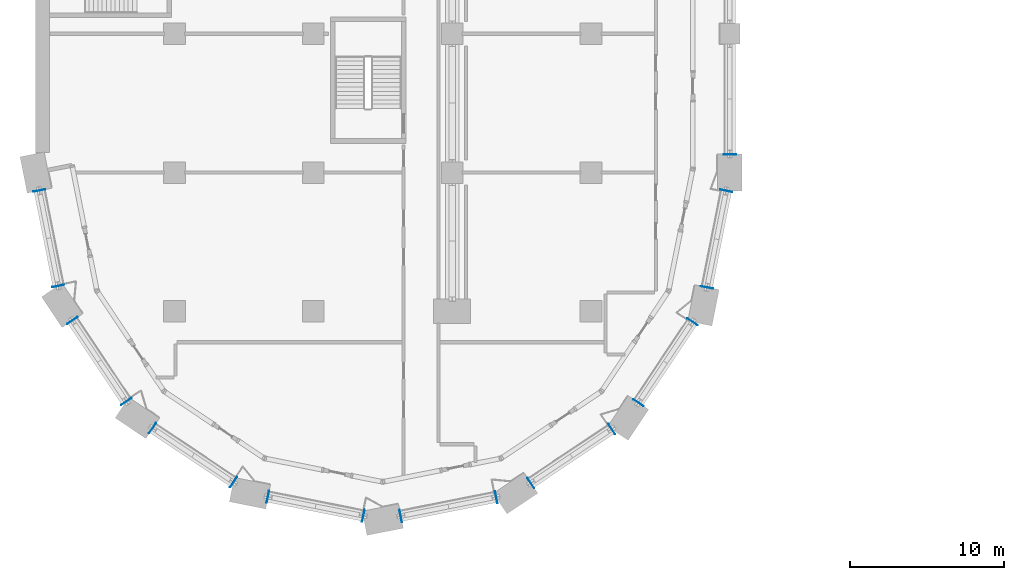
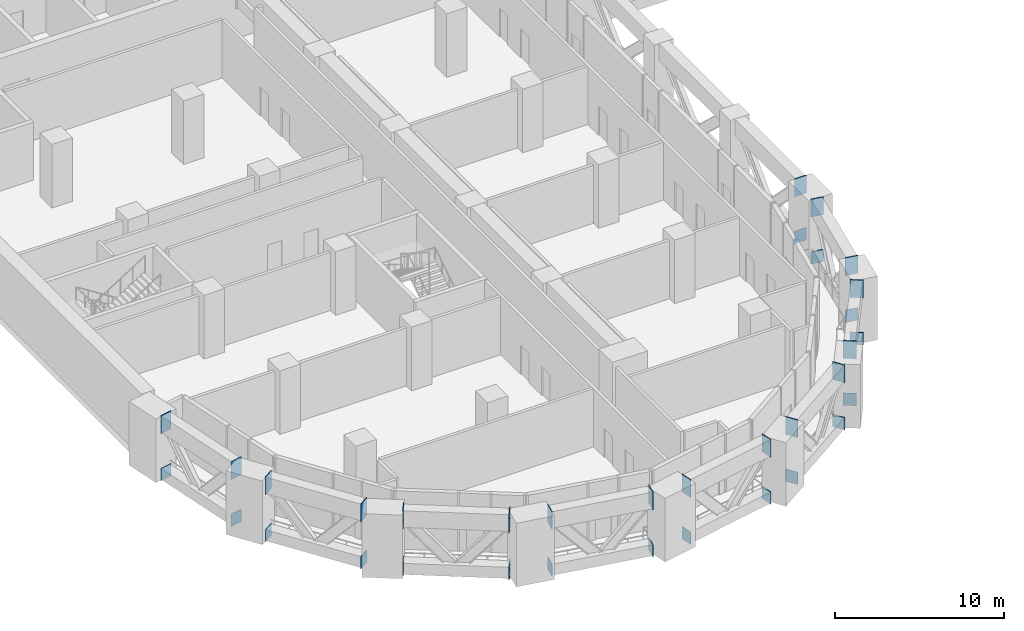
# One storey, part 18 of 24: 34 discrete accessories.
"""IFC4 building model written with IfcOpenShell, lengths in metres."""

from ifc_helpers import new_model, si_unit, direction, frame, origin, origin_2d, place, context, subcontext, project, spatial, rectangle, extrude, material, layer, layer_set, type_object, element, save


model = new_model("IFC4")

# Units and contexts
model_context = context("Model", 3, precision=1e-05, world=origin(), true_north=direction((0.0, 1.0)))
body_context = subcontext(model_context, "Body", "Model", "MODEL_VIEW")
ifc_project = project(units=[si_unit("LENGTHUNIT", "METRE"), si_unit("AREAUNIT", "SQUARE_METRE"), si_unit("VOLUMEUNIT", "CUBIC_METRE"), si_unit("PLANEANGLEUNIT", "RADIAN"), si_unit("MASSUNIT", "GRAM", prefix="KILO")], contexts=[model_context])

# Site, building, storey
site_placement = place(None, origin())
site = spatial("IfcSite", under=ifc_project, at=site_placement, CompositionType="ELEMENT")
building_placement = place(site_placement, origin())
building = spatial("IfcBuilding", under=site, at=building_placement, Name="Hunhe Ridgeline Campus", CompositionType="ELEMENT")
storey_placement = place(building_placement, frame((0.0, 0.0, 80.199951171875)))
storey = spatial("IfcBuildingStorey", under=building, at=storey_placement, Name="L19", CompositionType="ELEMENT", Elevation=80.199951171875)

# Discrete accessories
ifc_material = material(Name="Steel Q420", Category="steel")
ifc_layer_1 = layer(ifc_material, 0.030029296875)
ifc_layer_set_1 = layer_set([ifc_layer_1], Name="Gusset plate 800x1300x30 Steel Q420")
discrete_accessory_type_1 = type_object("IfcDiscreteAccessoryType", Name="Gusset plate 800x1300x30 Steel Q420", PredefinedType="BRACKET", material=ifc_layer_set_1)
for number, where, z_axis, x_axis, name in (
    (1, (0.231201171875, 25.837890625, 3.35009765625), (0.0, 0.0, 1.0), (-0.195090322016, 0.980785280403, 0.0), "Gusset plate BT1 L19 1"),
    (2, (1.462158203125, 19.64892578125, 3.35009765625), (0.0, 0.0, 1.0), (0.195090322016, -0.980785280403, 0.0), "Gusset plate BT1 L19 3"),
    (3, (2.37109375, 17.404296875, 3.35009765625), (0.0, 0.0, 1.0), (-0.55557023302, 0.831469612303, 0.0), "Gusset plate BT1 L19 5"),
    (4, (5.876708984375, 12.15771484375, 3.35009765625), (0.0, 0.0, 1.0), (0.55557023302, -0.831469612303, 0.0), "Gusset plate BT1 L19 7"),
    (5, (7.575439453125, 10.431640625, 3.35009765625), (0.0, 0.0, 1.0), (-0.831469612303, 0.55557023302, 0.0), "Gusset plate BT1 L19 9"),
    (6, (12.822021484375, 6.926025390625, 3.35009765625), (0.0, 0.0, 1.0), (0.831469612303, -0.55557023302, 0.0), "Gusset plate BT1 L19 11"),
    (7, (15.0517578125, 5.9814453125, 3.35009765625), (0.0, 0.0, 1.0), (-0.980785280403, 0.195090322016, 0.0), "Gusset plate BT1 L19 13"),
    (8, (21.24072265625, 4.75048828125, 3.35009765625), (0.0, 0.0, 1.0), (0.980785280403, -0.195090322016, 0.0), "Gusset plate BT1 L19 15"),
    (9, (23.662109375, 4.731201171875, 3.35009765625), (0.0, 0.0, 1.0), (-0.980785280403, -0.195090322016, 0.0), "Gusset plate BT1 L19 17"),
    (10, (29.85107421875, 5.962158203125, 3.35009765625), (0.0, 0.0, 1.0), (0.980785280403, 0.195090322016, 0.0), "Gusset plate BT1 L19 19"),
    (11, (32.095703125, 6.87109375, 3.35009765625), (0.0, 0.0, 1.0), (-0.831469612303, -0.55557023302, 0.0), "Gusset plate BT1 L19 21"),
    (12, (37.34228515625, 10.376708984375, 3.35009765625), (0.0, 0.0, 1.0), (0.831469612303, 0.55557023302, 0.0), "Gusset plate BT1 L19 23"),
    (13, (39.068359375, 12.075439453125, 3.35009765625), (0.0, 0.0, 1.0), (-0.55557023302, -0.831469612303, 0.0), "Gusset plate BT1 L19 25"),
    (14, (42.573974609375, 17.322021484375, 3.35009765625), (0.0, 0.0, 1.0), (0.55557023302, 0.831469612303, 0.0), "Gusset plate BT1 L19 27"),
    (15, (43.5185546875, 19.5517578125, 3.35009765625), (0.0, 0.0, 1.0), (-0.195090322016, -0.980785280403, 0.0), "Gusset plate BT1 L19 29"),
    (16, (44.76416015625, 25.814697265625, 3.35009765625), (0.0, 0.0, 1.0), (0.195090322016, 0.980785280403, 0.0), "Gusset plate BT1 L19 31"),
    (17, (45.0, 28.18505859375, 3.35009765625), (0.0, 0.0, 1.0), (0.0, -1.0, 0.0), "Gusset plate BT1 L19 33"),
):
    element("IfcDiscreteAccessory", number, at=place(storey_placement, frame(where, z_axis=z_axis, x_axis=x_axis)), inside=storey, type_object=discrete_accessory_type_1, Name=name, PredefinedType="BRACKET", context=body_context, shape_type="SweptSolid", body=[
        extrude(rectangle(XDim=0.030029296875, YDim=0.800048828125, at=origin_2d()), origin(), (0.0, 0.0, 1.0), 1.300048828125),
    ])
ifc_layer_2 = layer(ifc_material, 0.030029296875)
ifc_layer_set_2 = layer_set([ifc_layer_2], Name="Gusset plate 800x900x30 Steel Q420")
discrete_accessory_type_2 = type_object("IfcDiscreteAccessoryType", Name="Gusset plate 800x900x30 Steel Q420", PredefinedType="BRACKET", material=ifc_layer_set_2)
for number, where, z_axis, x_axis, name in (
    (18, (0.231201171875, 25.837890625, -0.0498046875), (0.0, 0.0, 1.0), (-0.195090322016, 0.980785280403, 0.0), "Gusset plate BT1 L19 2"),
    (19, (1.462158203125, 19.64892578125, -0.0498046875), (0.0, 0.0, 1.0), (0.195090322016, -0.980785280403, 0.0), "Gusset plate BT1 L19 4"),
    (20, (2.37109375, 17.404296875, -0.0498046875), (0.0, 0.0, 1.0), (-0.55557023302, 0.831469612303, 0.0), "Gusset plate BT1 L19 6"),
    (21, (5.876708984375, 12.15771484375, -0.0498046875), (0.0, 0.0, 1.0), (0.55557023302, -0.831469612303, 0.0), "Gusset plate BT1 L19 8"),
    (22, (7.575439453125, 10.431640625, -0.0498046875), (0.0, 0.0, 1.0), (-0.831469612303, 0.55557023302, 0.0), "Gusset plate BT1 L19 10"),
    (23, (12.822021484375, 6.926025390625, -0.0498046875), (0.0, 0.0, 1.0), (0.831469612303, -0.55557023302, 0.0), "Gusset plate BT1 L19 12"),
    (24, (15.0517578125, 5.9814453125, -0.0498046875), (0.0, 0.0, 1.0), (-0.980785280403, 0.195090322016, 0.0), "Gusset plate BT1 L19 14"),
    (25, (21.24072265625, 4.75048828125, -0.0498046875), (0.0, 0.0, 1.0), (0.980785280403, -0.195090322016, 0.0), "Gusset plate BT1 L19 16"),
    (26, (23.662109375, 4.731201171875, -0.0498046875), (0.0, 0.0, 1.0), (-0.980785280403, -0.195090322016, 0.0), "Gusset plate BT1 L19 18"),
    (27, (29.85107421875, 5.962158203125, -0.0498046875), (0.0, 0.0, 1.0), (0.980785280403, 0.195090322016, 0.0), "Gusset plate BT1 L19 20"),
    (28, (32.095703125, 6.87109375, -0.0498046875), (0.0, 0.0, 1.0), (-0.831469612303, -0.55557023302, 0.0), "Gusset plate BT1 L19 22"),
    (29, (37.34228515625, 10.376708984375, -0.0498046875), (0.0, 0.0, 1.0), (0.831469612303, 0.55557023302, 0.0), "Gusset plate BT1 L19 24"),
    (30, (39.068359375, 12.075439453125, -0.0498046875), (0.0, 0.0, 1.0), (-0.55557023302, -0.831469612303, 0.0), "Gusset plate BT1 L19 26"),
    (31, (42.573974609375, 17.322021484375, -0.0498046875), (0.0, 0.0, 1.0), (0.55557023302, 0.831469612303, 0.0), "Gusset plate BT1 L19 28"),
    (32, (43.5185546875, 19.5517578125, -0.0498046875), (0.0, 0.0, 1.0), (-0.195090322016, -0.980785280403, 0.0), "Gusset plate BT1 L19 30"),
    (33, (44.76416015625, 25.814697265625, -0.0498046875), (0.0, 0.0, 1.0), (0.195090322016, 0.980785280403, 0.0), "Gusset plate BT1 L19 32"),
    (34, (45.0, 28.18505859375, -0.0498046875), (0.0, 0.0, 1.0), (0.0, -1.0, 0.0), "Gusset plate BT1 L19 34"),
):
    element("IfcDiscreteAccessory", number, at=place(storey_placement, frame(where, z_axis=z_axis, x_axis=x_axis)), inside=storey, type_object=discrete_accessory_type_2, Name=name, PredefinedType="BRACKET", context=body_context, shape_type="SweptSolid", body=[
        extrude(rectangle(XDim=0.030029296875, YDim=0.800048828125, at=origin_2d()), origin(), (0.0, 0.0, 1.0), 0.89990234375),
    ])

save(model, "model.ifc")
